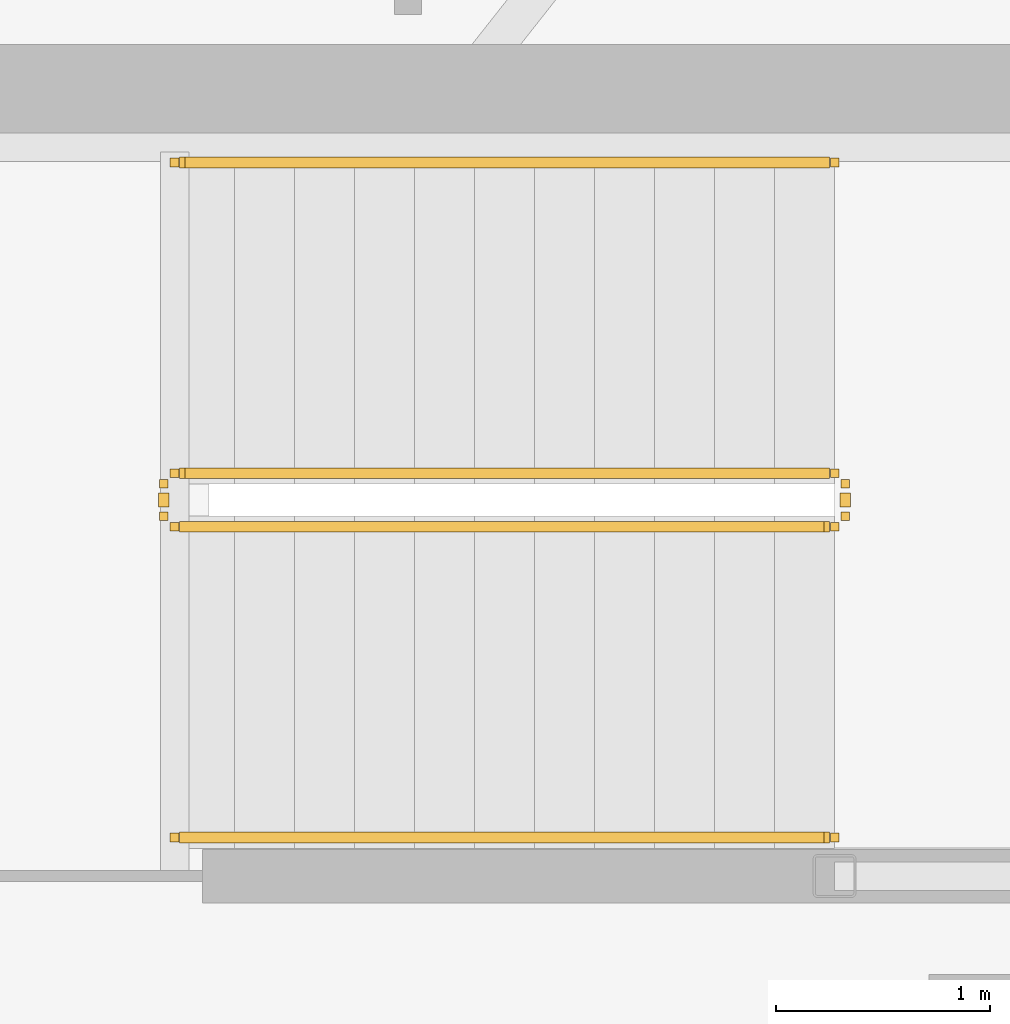
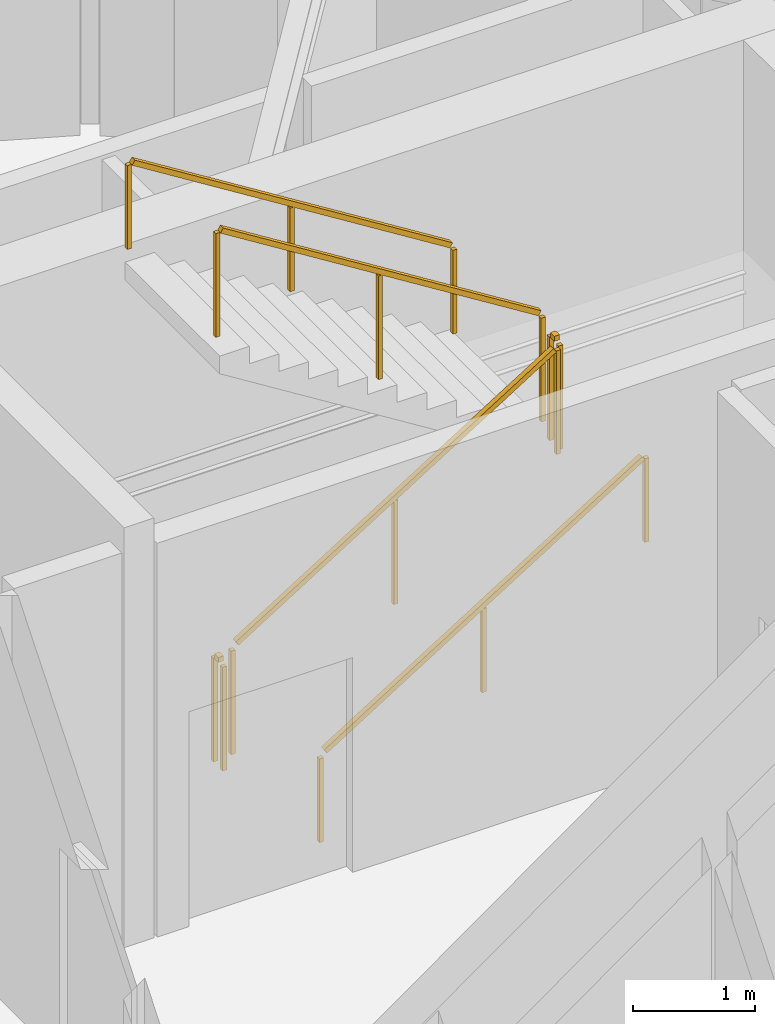
# One storey, part 19 of 20: 6 railings.
"""IFC4 building model written with IfcOpenShell, lengths in metres."""

from ifc_helpers import new_model, si_unit, direction, frame, origin, origin_2d, place, context, subcontext, project, spatial, rectangle, extrude, material, type_object, element, save


model = new_model("IFC4")

# Units and contexts
model_context = context("Model", 3, precision=1e-05, world=origin(), true_north=direction((0.0, 1.0)))
body_context = subcontext(model_context, "Body", "Model", "MODEL_VIEW")
ifc_project = project(units=[si_unit("LENGTHUNIT", "METRE"), si_unit("AREAUNIT", "SQUARE_METRE"), si_unit("VOLUMEUNIT", "CUBIC_METRE"), si_unit("PLANEANGLEUNIT", "RADIAN"), si_unit("MASSUNIT", "GRAM", prefix="KILO")], contexts=[model_context])

# Site, building, storey
site_placement = place(None, origin())
site = spatial("IfcSite", under=ifc_project, at=site_placement, CompositionType="ELEMENT")
building_placement = place(site_placement, origin())
building = spatial("IfcBuilding", under=site, at=building_placement, Name="Kazma Halo Residences", CompositionType="ELEMENT")
storey_placement = place(building_placement, frame((0.0, 0.0, 317.89990234375)))
storey = spatial("IfcBuildingStorey", under=building, at=storey_placement, Name="L80", CompositionType="ELEMENT", Elevation=317.89990234375)

# Railings
ifc_material_1 = material(Name="Painted Steel S355", Category="steel")
railing_type_1 = type_object("IfcRailingType", Name="RLG-STAIR-GRD-1100", PredefinedType="GUARDRAIL", material=ifc_material_1)
railing_1_placement = place(storey_placement, frame((53.199951171875, 48.25, 0.175048828125)))
element("IfcRailing", 1, at=railing_1_placement, inside=storey, type_object=railing_type_1, Name="L80 ST-02 stair guard 1", PredefinedType="GUARDRAIL", context=body_context, shape_type="SweptSolid", body=[
    extrude(rectangle(XDim=0.050048828125, YDim=0.050048828125, at=origin_2d()), frame((0.0361328125, 0.0, 1.09765625), z_axis=(0.847998304005, 0.0, 0.529998940003), x_axis=(0.0, 1.0, 0.0)), (0.0, 0.0, 1.0), 3.547119140625),
    extrude(rectangle(XDim=0.0400390625, YDim=0.0400390625, at=origin_2d()), origin(), (0.0, 0.0, 1.0), 1.0380859375),
    extrude(rectangle(XDim=0.0400390625, YDim=0.0400390625, at=origin_2d()), frame((1.5400390625, 0.0, 0.96240234375)), (0.0, 0.0, 1.0), 1.0380859375),
    extrude(rectangle(XDim=0.0400390625, YDim=0.0400390625, at=origin_2d()), frame((3.080078125, 0.0, 1.925048828125)), (0.0, 0.0, 1.0), 1.0380859375),
])
railing_2_placement = place(storey_placement, frame((56.330078125, 48.300048828125, 2.10009765625)))
element("IfcRailing", 2, at=railing_2_placement, inside=storey, type_object=railing_type_1, Name="L80 ST-02 stair guard 2", PredefinedType="GUARDRAIL", context=body_context, shape_type="SweptSolid", body=[
    extrude(rectangle(XDim=0.050048828125, YDim=0.050048828125, at=origin_2d()), frame((0.0, 0.04248046875, 1.0751953125), z_axis=(0.0, 1.0, 0.0), x_axis=(-1.0, 0.0, 0.0)), (0.0, 0.0, 1.0), 0.06494140625),
    extrude(rectangle(XDim=0.0400390625, YDim=0.0400390625, at=origin_2d()), origin(), (0.0, 0.0, 1.0), 1.0380859375),
    extrude(rectangle(XDim=0.0400390625, YDim=0.0400390625, at=origin_2d()), frame((0.0, 0.14990234375, 0.0)), (0.0, 0.0, 1.0), 1.0380859375),
])
railing_3_placement = place(storey_placement, frame((56.280029296875, 48.5, 2.275146484375)))
element("IfcRailing", 3, at=railing_3_placement, inside=storey, type_object=railing_type_1, Name="L80 ST-02 stair guard 3", PredefinedType="GUARDRAIL", context=body_context, shape_type="SweptSolid", body=[
    extrude(rectangle(XDim=0.050048828125, YDim=0.050048828125, at=origin_2d()), frame((-0.0361328125, 0.0, 1.09765625), z_axis=(-0.847998304005, 0.0, 0.529998940003), x_axis=(0.0, -1.0, 0.0)), (0.0, 0.0, 1.0), 3.547119140625),
    extrude(rectangle(XDim=0.0400390625, YDim=0.0400390625, at=origin_2d()), origin(), (0.0, 0.0, 1.0), 1.0380859375),
    extrude(rectangle(XDim=0.0400390625, YDim=0.0400390625, at=origin_2d()), frame((-1.5400390625, 0.0, 0.96240234375)), (0.0, 0.0, 1.0), 1.0380859375),
    extrude(rectangle(XDim=0.0400390625, YDim=0.0400390625, at=origin_2d()), frame((-3.080078125, 0.0, 1.925048828125)), (0.0, 0.0, 1.0), 1.0380859375),
])
railing_4_placement = place(storey_placement, frame((53.14990234375, 48.300048828125, 0.0)))
element("IfcRailing", 4, at=railing_4_placement, inside=storey, type_object=railing_type_1, Name="L80 ST-02 stair guard 4", PredefinedType="GUARDRAIL", context=body_context, shape_type="SweptSolid", body=[
    extrude(rectangle(XDim=0.050048828125, YDim=0.050048828125, at=origin_2d()), frame((0.0, 0.04248046875, 1.0751953125), z_axis=(0.0, 1.0, 0.0), x_axis=(-1.0, 0.0, 0.0)), (0.0, 0.0, 1.0), 0.06494140625),
    extrude(rectangle(XDim=0.0400390625, YDim=0.0400390625, at=origin_2d()), origin(), (0.0, 0.0, 1.0), 1.0380859375),
    extrude(rectangle(XDim=0.0400390625, YDim=0.0400390625, at=origin_2d()), frame((0.0, 0.14990234375, 0.0)), (0.0, 0.0, 1.0), 1.0380859375),
])
ifc_material_2 = material(Name="Brushed Stainless Steel", Category="steel")
railing_type_2 = type_object("IfcRailingType", Name="RLG-STAIR-HND-900", PredefinedType="HANDRAIL", material=ifc_material_2)
railing_5_placement = place(storey_placement, frame((53.199951171875, 46.800048828125, 0.175048828125)))
element("IfcRailing", 5, at=railing_5_placement, inside=storey, type_object=railing_type_2, Name="L80 ST-02 stair handrail 1", PredefinedType="HANDRAIL", context=body_context, shape_type="SweptSolid", body=[
    extrude(rectangle(XDim=0.050048828125, YDim=0.050048828125, at=origin_2d()), frame((0.0361328125, 0.0, 0.8974609375), z_axis=(0.847998304005, 0.0, 0.529998940003), x_axis=(0.0, 1.0, 0.0)), (0.0, 0.0, 1.0), 3.547119140625),
    extrude(rectangle(XDim=0.0400390625, YDim=0.0400390625, at=origin_2d()), origin(), (0.0, 0.0, 1.0), 0.837890625),
    extrude(rectangle(XDim=0.0400390625, YDim=0.0400390625, at=origin_2d()), frame((1.5400390625, 0.0, 0.96240234375)), (0.0, 0.0, 1.0), 0.837890625),
    extrude(rectangle(XDim=0.0400390625, YDim=0.0400390625, at=origin_2d()), frame((3.080078125, 0.0, 1.925048828125)), (0.0, 0.0, 1.0), 0.837890625),
])
railing_6_placement = place(storey_placement, frame((56.280029296875, 49.949951171875, 2.275146484375)))
element("IfcRailing", 6, at=railing_6_placement, inside=storey, type_object=railing_type_2, Name="L80 ST-02 stair handrail 2", PredefinedType="HANDRAIL", context=body_context, shape_type="SweptSolid", body=[
    extrude(rectangle(XDim=0.050048828125, YDim=0.050048828125, at=origin_2d()), frame((-0.0361328125, 0.0, 0.8974609375), z_axis=(-0.847998304005, 0.0, 0.529998940003), x_axis=(0.0, -1.0, 0.0)), (0.0, 0.0, 1.0), 3.547119140625),
    extrude(rectangle(XDim=0.0400390625, YDim=0.0400390625, at=origin_2d()), origin(), (0.0, 0.0, 1.0), 0.837890625),
    extrude(rectangle(XDim=0.0400390625, YDim=0.0400390625, at=origin_2d()), frame((-1.5400390625, 0.0, 0.96240234375)), (0.0, 0.0, 1.0), 0.837890625),
    extrude(rectangle(XDim=0.0400390625, YDim=0.0400390625, at=origin_2d()), frame((-3.080078125, 0.0, 1.925048828125)), (0.0, 0.0, 1.0), 0.837890625),
])

save(model, "model.ifc")
